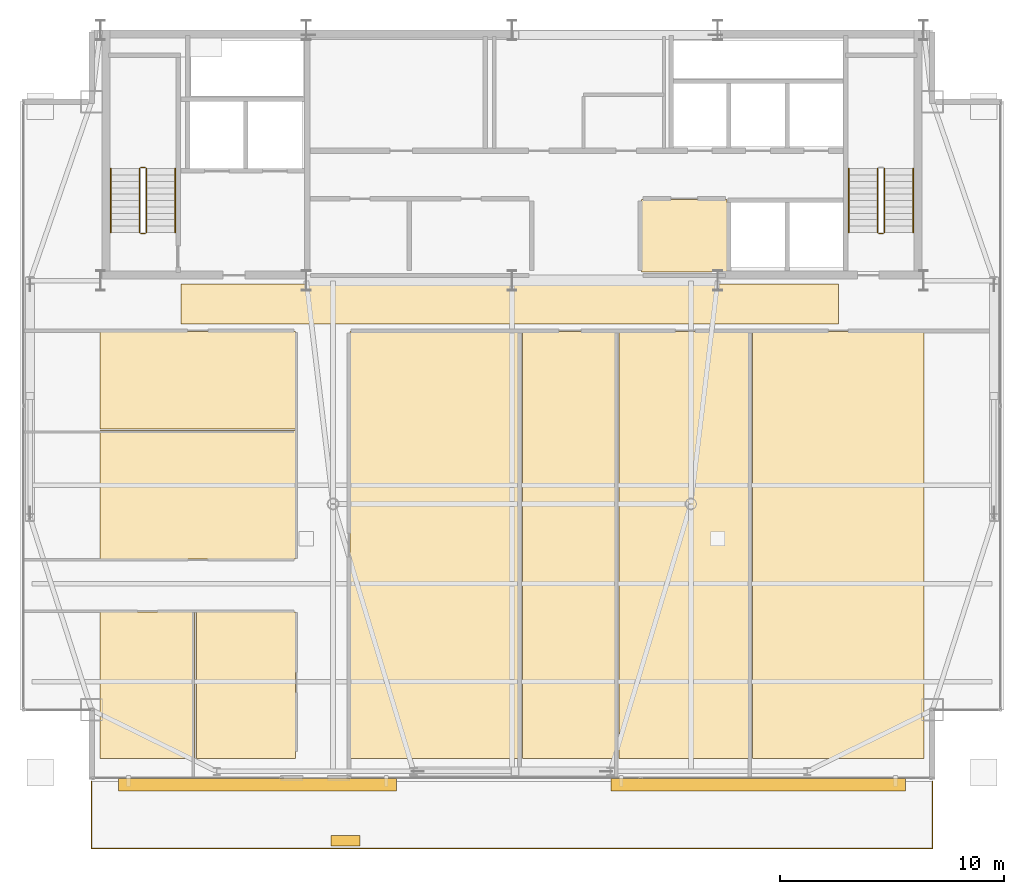
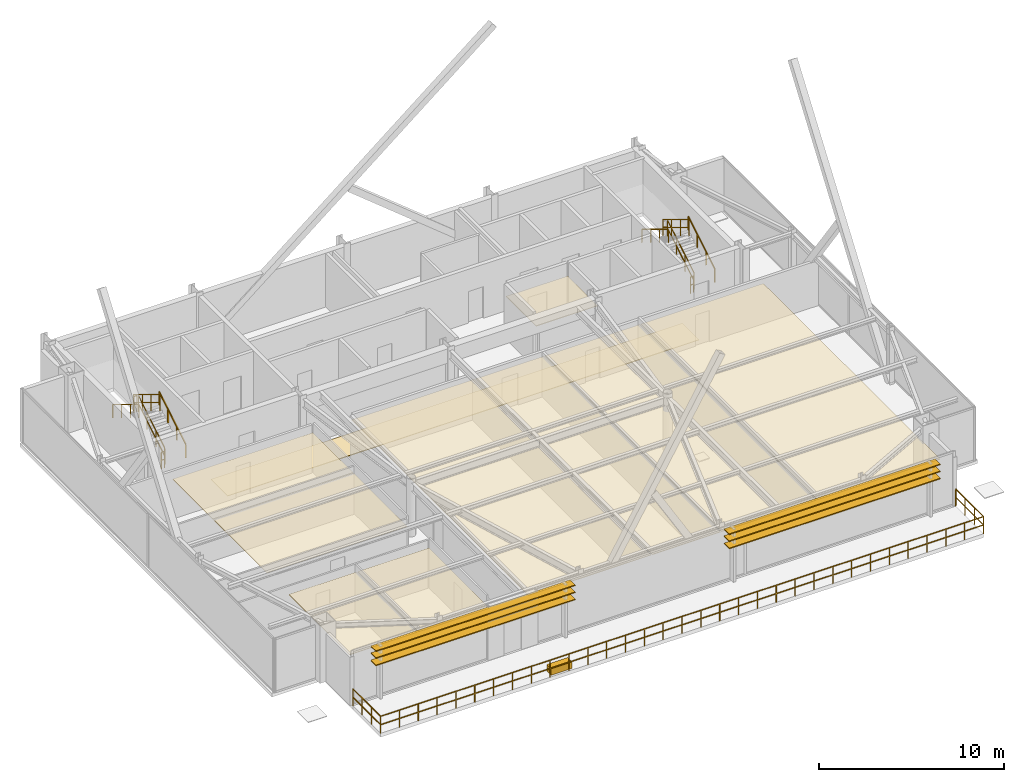
# One storey, part 24 of 25: 14 railings, 11 coverings, 6 shading devices.
"""IFC4 building model written with IfcOpenShell, lengths in metres."""

from ifc_helpers import new_model, si_unit, direction, frame, origin, origin_2d, place, context, subcontext, project, spatial, polyline, rectangle, outline, extrude, source, transform, mapped, material, layer, layer_set, type_object, type_shapes, element, save


model = new_model("IFC4")

# Units and contexts
model_context = context("Model", 3, precision=1e-05, world=origin(), true_north=direction((0.0, 1.0)))
body_context = subcontext(model_context, "Body", "Model", "MODEL_VIEW")
ifc_project = project(units=[si_unit("LENGTHUNIT", "METRE"), si_unit("AREAUNIT", "SQUARE_METRE"), si_unit("VOLUMEUNIT", "CUBIC_METRE"), si_unit("PLANEANGLEUNIT", "RADIAN"), si_unit("MASSUNIT", "GRAM", prefix="KILO")], contexts=[model_context])

# Site, building, storey
site_placement = place(None, origin())
site = spatial("IfcSite", under=ifc_project, at=site_placement, CompositionType="ELEMENT")
building_placement = place(site_placement, origin())
building = spatial("IfcBuilding", under=site, at=building_placement, Name="Varnel Quay Broadcast Tower", CompositionType="ELEMENT")
storey_placement = place(building_placement, frame((0.0, 0.0, 258.39990234375)))
storey = spatial("IfcBuildingStorey", under=building, at=storey_placement, Name="L64", CompositionType="ELEMENT", Elevation=258.39990234375)

# Coverings
ifc_material_1 = material(Name="Micro-Perforated Acoustic Ceiling Tile")
ifc_layer_1 = layer(ifc_material_1, 0.0400390625, Name="Micro-Perforated Acoustic Ceiling Tile")
ifc_layer_set_1 = layer_set([ifc_layer_1], Name="Micro-Perforated Acoustic Ceiling Tile")
covering_type_1 = type_object("IfcCoveringType", Name="Cov_AcousticCeiling", PredefinedType="CEILING", material=ifc_layer_set_1)
covering_1_placement = place(storey_placement, frame((0.0, 0.0, 2.580078125)))
element("IfcCovering", 1, at=covering_1_placement, inside=storey, type_object=covering_type_1, Name="L64 Electrical Sub-Distribution Closet Acoustic Ceiling", PredefinedType="CEILING", context=body_context, shape_type="SweptSolid", body=[
    extrude(outline(polyline([(39.784912109375, 35.985107421875), (43.614990234375, 35.985107421875), (43.614990234375, 39.215087890625), (39.784912109375, 39.215087890625), (39.784912109375, 35.985107421875)])), origin(), (0.0, 0.0, 1.0), 0.0400390625),
])
covering_2_placement = place(storey_placement, frame((0.0, 0.0, 2.580078125)))
element("IfcCovering", 2, at=covering_2_placement, inside=storey, type_object=covering_type_1, Name="L64 Media Tape Archive Store 1 Acoustic Ceiling", PredefinedType="CEILING", context=body_context, shape_type="SweptSolid", body=[
    extrude(outline(polyline([(15.5849609375, 14.22509765625), (19.81494140625, 14.22509765625), (19.81494140625, 20.77490234375), (15.5849609375, 20.77490234375), (15.5849609375, 14.22509765625)])), origin(), (0.0, 0.0, 1.0), 0.0400390625),
])
covering_3_placement = place(storey_placement, frame((0.0, 0.0, 2.580078125)))
element("IfcCovering", 3, at=covering_3_placement, inside=storey, type_object=covering_type_1, Name="L64 Lens & Rigging Store 2 Acoustic Ceiling", PredefinedType="CEILING", context=body_context, shape_type="SweptSolid", body=[
    extrude(outline(polyline([(19.885009765625, 14.22509765625), (24.324951171875, 14.22509765625), (24.324951171875, 20.77490234375), (19.885009765625, 20.77490234375), (19.885009765625, 14.22509765625)])), origin(), (0.0, 0.0, 1.0), 0.0400390625),
])
covering_4_placement = place(storey_placement, frame((0.0, 0.0, 2.580078125)))
element("IfcCovering", 4, at=covering_4_placement, inside=storey, type_object=covering_type_1, Name="L64 Ingest Vault Store 3 Acoustic Ceiling", PredefinedType="CEILING", context=body_context, shape_type="SweptSolid", body=[
    extrude(outline(polyline([(15.5849609375, 23.14501953125), (24.324951171875, 23.14501953125), (24.324951171875, 28.89501953125), (15.5849609375, 28.89501953125), (15.5849609375, 23.14501953125)])), origin(), (0.0, 0.0, 1.0), 0.0400390625),
])
covering_5_placement = place(storey_placement, frame((0.0, 0.0, 2.580078125)))
element("IfcCovering", 5, at=covering_5_placement, inside=storey, type_object=covering_type_1, Name="L64 Color Timing Suite 4 Acoustic Ceiling", PredefinedType="CEILING", context=body_context, shape_type="SweptSolid", body=[
    extrude(outline(polyline([(15.5849609375, 28.965087890625), (24.324951171875, 28.965087890625), (24.324951171875, 33.31494140625), (15.5849609375, 33.31494140625), (15.5849609375, 28.965087890625)])), origin(), (0.0, 0.0, 1.0), 0.0400390625),
])
covering_6_placement = place(storey_placement, frame((0.0, 0.0, 2.580078125)))
element("IfcCovering", 6, at=covering_6_placement, inside=storey, type_object=covering_type_1, Name="L64 Screening Meeting Room 5 Acoustic Ceiling", PredefinedType="CEILING", context=body_context, shape_type="SweptSolid", body=[
    extrude(outline(polyline([(26.7451171875, 14.22509765625), (34.39501953125, 14.22509765625), (34.39501953125, 33.31494140625), (26.7451171875, 33.31494140625), (26.7451171875, 14.22509765625)])), origin(), (0.0, 0.0, 1.0), 0.0400390625),
])
covering_7_placement = place(storey_placement, frame((0.0, 0.0, 2.580078125)))
element("IfcCovering", 7, at=covering_7_placement, inside=storey, type_object=covering_type_1, Name="L64 Producer Lounge 6 Acoustic Ceiling", PredefinedType="CEILING", context=body_context, shape_type="SweptSolid", body=[
    extrude(outline(polyline([(34.465087890625, 14.22509765625), (38.72509765625, 14.22509765625), (38.72509765625, 33.31494140625), (34.465087890625, 33.31494140625), (34.465087890625, 14.22509765625)])), origin(), (0.0, 0.0, 1.0), 0.0400390625),
])
covering_8_placement = place(storey_placement, frame((0.0, 0.0, 2.580078125)))
element("IfcCovering", 8, at=covering_8_placement, inside=storey, type_object=covering_type_1, Name="L64 Tea Kitchen 7 Acoustic Ceiling", PredefinedType="CEILING", context=body_context, shape_type="SweptSolid", body=[
    extrude(outline(polyline([(38.794921875, 14.22509765625), (44.695068359375, 14.22509765625), (44.695068359375, 33.31494140625), (38.794921875, 33.31494140625), (38.794921875, 14.22509765625)])), origin(), (0.0, 0.0, 1.0), 0.0400390625),
])
covering_9_placement = place(storey_placement, frame((0.0, 0.0, 2.580078125)))
element("IfcCovering", 9, at=covering_9_placement, inside=storey, type_object=covering_type_1, Name="L64 Media Tape Archive Store 8 Acoustic Ceiling", PredefinedType="CEILING", context=body_context, shape_type="SweptSolid", body=[
    extrude(outline(polyline([(44.764892578125, 14.22509765625), (52.4150390625, 14.22509765625), (52.4150390625, 33.31494140625), (44.764892578125, 33.31494140625), (44.764892578125, 14.22509765625)])), origin(), (0.0, 0.0, 1.0), 0.0400390625),
])
ifc_material_2 = material(Name="Polished Terrazzo & Broadcast Raised Flooring")
ifc_layer_2 = layer(ifc_material_2, 0.0400390625, Name="Polished Terrazzo & Broadcast Raised Flooring")
ifc_layer_set_2 = layer_set([ifc_layer_2], Name="Polished Terrazzo & Broadcast Raised Flooring")
covering_type_2 = type_object("IfcCoveringType", Name="Cov_TerrazzoFloor", PredefinedType="FLOORING", material=ifc_layer_set_2)
covering_10_placement = place(storey_placement, origin())
element("IfcCovering", 10, at=covering_10_placement, inside=storey, type_object=covering_type_2, Name="L64 Corridor Terrazzo Flooring", PredefinedType="FLOORING", context=body_context, shape_type="SweptSolid", body=[
    extrude(outline(polyline([(19.199951171875, 33.64990234375), (48.60009765625, 33.64990234375), (48.60009765625, 35.449951171875), (19.199951171875, 35.449951171875), (19.199951171875, 33.64990234375)])), origin(), (0.0, 0.0, 1.0), 0.0400390625),
])

# Railings
ifc_material_3 = material(Name="Anodised Bronze Aluminium 6063-T6", Category="aluminium")
railing_type_1 = type_object("IfcRailingType", Name="Rail_Balustrade1150", PredefinedType="BALUSTRADE", material=ifc_material_3)
railing_1_placement = place(storey_placement, frame((15.199951171875, 10.199951171875, 0.0)))
element("IfcRailing", 11, at=railing_1_placement, inside=storey, type_object=railing_type_1, Name="L64 Terrace 1 Guard 1", PredefinedType="BALUSTRADE", context=body_context, shape_type="SweptSolid", body=[
    extrude(rectangle(XDim=0.048095703125, YDim=0.048095703125, at=origin_2d()), frame((0.0, 0.0, 1.1259765625), z_axis=(1.0, 0.0, 0.0), x_axis=(0.0, 1.0, 0.0)), (0.0, 0.0, 1.0), 37.60009765625),
    extrude(rectangle(XDim=0.048095703125, YDim=0.048095703125, at=origin_2d()), frame((0.0, 0.0, 0.574951171875), z_axis=(1.0, 0.0, 0.0), x_axis=(0.0, 1.0, 0.0)), (0.0, 0.0, 1.0), 37.60009765625),
    extrude(rectangle(XDim=0.0419921875, YDim=0.0419921875, at=origin_2d()), origin(), (0.0, 0.0, 1.0), 1.101806640625),
    extrude(rectangle(XDim=0.0419921875, YDim=0.0419921875, at=origin_2d()), frame((1.175048828125, 0.0, 0.0)), (0.0, 0.0, 1.0), 1.101806640625),
    extrude(rectangle(XDim=0.0419921875, YDim=0.0419921875, at=origin_2d()), frame((2.35009765625, 0.0, 0.0)), (0.0, 0.0, 1.0), 1.101806640625),
    extrude(rectangle(XDim=0.0419921875, YDim=0.0419921875, at=origin_2d()), frame((3.52490234375, 0.0, 0.0)), (0.0, 0.0, 1.0), 1.101806640625),
    extrude(rectangle(XDim=0.0419921875, YDim=0.0419921875, at=origin_2d()), frame((4.699951171875, 0.0, 0.0)), (0.0, 0.0, 1.0), 1.101806640625),
    extrude(rectangle(XDim=0.0419921875, YDim=0.0419921875, at=origin_2d()), frame((5.875, 0.0, 0.0)), (0.0, 0.0, 1.0), 1.101806640625),
    extrude(rectangle(XDim=0.0419921875, YDim=0.0419921875, at=origin_2d()), frame((7.050048828125, 0.0, 0.0)), (0.0, 0.0, 1.0), 1.101806640625),
    extrude(rectangle(XDim=0.0419921875, YDim=0.0419921875, at=origin_2d()), frame((8.22509765625, 0.0, 0.0)), (0.0, 0.0, 1.0), 1.101806640625),
    extrude(rectangle(XDim=0.0419921875, YDim=0.0419921875, at=origin_2d()), frame((9.39990234375, 0.0, 0.0)), (0.0, 0.0, 1.0), 1.101806640625),
    extrude(rectangle(XDim=0.0419921875, YDim=0.0419921875, at=origin_2d()), frame((10.574951171875, 0.0, 0.0)), (0.0, 0.0, 1.0), 1.101806640625),
    extrude(rectangle(XDim=0.0419921875, YDim=0.0419921875, at=origin_2d()), frame((11.75, 0.0, 0.0)), (0.0, 0.0, 1.0), 1.101806640625),
    extrude(rectangle(XDim=0.0419921875, YDim=0.0419921875, at=origin_2d()), frame((12.925048828125, 0.0, 0.0)), (0.0, 0.0, 1.0), 1.101806640625),
    extrude(rectangle(XDim=0.0419921875, YDim=0.0419921875, at=origin_2d()), frame((14.10009765625, 0.0, 0.0)), (0.0, 0.0, 1.0), 1.101806640625),
    extrude(rectangle(XDim=0.0419921875, YDim=0.0419921875, at=origin_2d()), frame((15.275146484375, 0.0, 0.0)), (0.0, 0.0, 1.0), 1.101806640625),
    extrude(rectangle(XDim=0.0419921875, YDim=0.0419921875, at=origin_2d()), frame((16.449951171875, 0.0, 0.0)), (0.0, 0.0, 1.0), 1.101806640625),
    extrude(rectangle(XDim=0.0419921875, YDim=0.0419921875, at=origin_2d()), frame((17.625, 0.0, 0.0)), (0.0, 0.0, 1.0), 1.101806640625),
    extrude(rectangle(XDim=0.0419921875, YDim=0.0419921875, at=origin_2d()), frame((18.800048828125, 0.0, 0.0)), (0.0, 0.0, 1.0), 1.101806640625),
    extrude(rectangle(XDim=0.0419921875, YDim=0.0419921875, at=origin_2d()), frame((19.97509765625, 0.0, 0.0)), (0.0, 0.0, 1.0), 1.101806640625),
    extrude(rectangle(XDim=0.0419921875, YDim=0.0419921875, at=origin_2d()), frame((21.150146484375, 0.0, 0.0)), (0.0, 0.0, 1.0), 1.101806640625),
    extrude(rectangle(XDim=0.0419921875, YDim=0.0419921875, at=origin_2d()), frame((22.324951171875, 0.0, 0.0)), (0.0, 0.0, 1.0), 1.101806640625),
    extrude(rectangle(XDim=0.0419921875, YDim=0.0419921875, at=origin_2d()), frame((23.5, 0.0, 0.0)), (0.0, 0.0, 1.0), 1.101806640625),
    extrude(rectangle(XDim=0.0419921875, YDim=0.0419921875, at=origin_2d()), frame((24.675048828125, 0.0, 0.0)), (0.0, 0.0, 1.0), 1.101806640625),
    extrude(rectangle(XDim=0.0419921875, YDim=0.0419921875, at=origin_2d()), frame((25.85009765625, 0.0, 0.0)), (0.0, 0.0, 1.0), 1.101806640625),
    extrude(rectangle(XDim=0.0419921875, YDim=0.0419921875, at=origin_2d()), frame((27.025146484375, 0.0, 0.0)), (0.0, 0.0, 1.0), 1.101806640625),
    extrude(rectangle(XDim=0.0419921875, YDim=0.0419921875, at=origin_2d()), frame((28.2001953125, 0.0, 0.0)), (0.0, 0.0, 1.0), 1.101806640625),
    extrude(rectangle(XDim=0.0419921875, YDim=0.0419921875, at=origin_2d()), frame((29.375, 0.0, 0.0)), (0.0, 0.0, 1.0), 1.101806640625),
    extrude(rectangle(XDim=0.0419921875, YDim=0.0419921875, at=origin_2d()), frame((30.550048828125, 0.0, 0.0)), (0.0, 0.0, 1.0), 1.101806640625),
    extrude(rectangle(XDim=0.0419921875, YDim=0.0419921875, at=origin_2d()), frame((31.72509765625, 0.0, 0.0)), (0.0, 0.0, 1.0), 1.101806640625),
    extrude(rectangle(XDim=0.0419921875, YDim=0.0419921875, at=origin_2d()), frame((32.900146484375, 0.0, 0.0)), (0.0, 0.0, 1.0), 1.101806640625),
    extrude(rectangle(XDim=0.0419921875, YDim=0.0419921875, at=origin_2d()), frame((34.0751953125, 0.0, 0.0)), (0.0, 0.0, 1.0), 1.101806640625),
    extrude(rectangle(XDim=0.0419921875, YDim=0.0419921875, at=origin_2d()), frame((35.25, 0.0, 0.0)), (0.0, 0.0, 1.0), 1.101806640625),
    extrude(rectangle(XDim=0.0419921875, YDim=0.0419921875, at=origin_2d()), frame((36.425048828125, 0.0, 0.0)), (0.0, 0.0, 1.0), 1.101806640625),
    extrude(rectangle(XDim=0.0419921875, YDim=0.0419921875, at=origin_2d()), frame((37.60009765625, 0.0, 0.0)), (0.0, 0.0, 1.0), 1.101806640625),
])
railing_2_placement = place(storey_placement, frame((52.800048828125, 10.199951171875, 0.0)))
element("IfcRailing", 12, at=railing_2_placement, inside=storey, type_object=railing_type_1, Name="L64 Terrace 1 Guard 2", PredefinedType="BALUSTRADE", context=body_context, shape_type="SweptSolid", body=[
    extrude(rectangle(XDim=0.048095703125, YDim=0.048095703125, at=origin_2d()), frame((0.0, 0.0, 1.1259765625), z_axis=(0.0, 1.0, 0.0), x_axis=(-1.0, 0.0, 0.0)), (0.0, 0.0, 1.0), 3.0),
    extrude(rectangle(XDim=0.048095703125, YDim=0.048095703125, at=origin_2d()), frame((0.0, 0.0, 0.574951171875), z_axis=(0.0, 1.0, 0.0), x_axis=(-1.0, 0.0, 0.0)), (0.0, 0.0, 1.0), 3.0),
    extrude(rectangle(XDim=0.0419921875, YDim=0.0419921875, at=origin_2d()), origin(), (0.0, 0.0, 1.0), 1.101806640625),
    extrude(rectangle(XDim=0.0419921875, YDim=0.0419921875, at=origin_2d()), frame((0.0, 1.0, 0.0)), (0.0, 0.0, 1.0), 1.101806640625),
    extrude(rectangle(XDim=0.0419921875, YDim=0.0419921875, at=origin_2d()), frame((0.0, 2.0, 0.0)), (0.0, 0.0, 1.0), 1.101806640625),
    extrude(rectangle(XDim=0.0419921875, YDim=0.0419921875, at=origin_2d()), frame((0.0, 3.0, 0.0)), (0.0, 0.0, 1.0), 1.101806640625),
])
railing_3_placement = place(storey_placement, frame((15.199951171875, 13.199951171875, 0.0)))
element("IfcRailing", 13, at=railing_3_placement, inside=storey, type_object=railing_type_1, Name="L64 Terrace 1 Guard 4", PredefinedType="BALUSTRADE", context=body_context, shape_type="SweptSolid", body=[
    extrude(rectangle(XDim=0.048095703125, YDim=0.048095703125, at=origin_2d()), frame((0.0, 0.0, 1.1259765625), z_axis=(0.0, -1.0, 0.0), x_axis=(1.0, 0.0, 0.0)), (0.0, 0.0, 1.0), 3.0),
    extrude(rectangle(XDim=0.048095703125, YDim=0.048095703125, at=origin_2d()), frame((0.0, 0.0, 0.574951171875), z_axis=(0.0, -1.0, 0.0), x_axis=(1.0, 0.0, 0.0)), (0.0, 0.0, 1.0), 3.0),
    extrude(rectangle(XDim=0.0419921875, YDim=0.0419921875, at=origin_2d()), origin(), (0.0, 0.0, 1.0), 1.101806640625),
    extrude(rectangle(XDim=0.0419921875, YDim=0.0419921875, at=origin_2d()), frame((0.0, -1.0, 0.0)), (0.0, 0.0, 1.0), 1.101806640625),
    extrude(rectangle(XDim=0.0419921875, YDim=0.0419921875, at=origin_2d()), frame((0.0, -2.0, 0.0)), (0.0, 0.0, 1.0), 1.101806640625),
    extrude(rectangle(XDim=0.0419921875, YDim=0.0419921875, at=origin_2d()), frame((0.0, -3.0, 0.0)), (0.0, 0.0, 1.0), 1.101806640625),
])
ifc_material_4 = material(Name="Painted Steel Guard and Handrail CSA G40.21 350W", Category="steel")
railing_type_2 = type_object("IfcRailingType", Name="Rail_StairGuard1100", PredefinedType="GUARDRAIL", material=ifc_material_4)
railing_4_placement = place(storey_placement, frame((17.64990234375, 37.75, 0.1728515625)))
element("IfcRailing", 14, at=railing_4_placement, inside=storey, type_object=railing_type_2, Name="L64 ST-01 stair guard 1", PredefinedType="GUARDRAIL", context=body_context, shape_type="SweptSolid", body=[
    extrude(rectangle(XDim=0.048095703125, YDim=0.048095703125, at=origin_2d()), frame((0.0, 0.0, 1.076171875), z_axis=(0.0, 0.855202751398, 0.518293598264), x_axis=(-1.0, 0.0, 0.0)), (0.0, 0.0, 1.0), 3.332763671875),
    extrude(rectangle(XDim=0.048095703125, YDim=0.048095703125, at=origin_2d()), frame((0.0, 0.0, 0.550048828125), z_axis=(0.0, 0.855202751398, 0.518293598264), x_axis=(-1.0, 0.0, 0.0)), (0.0, 0.0, 1.0), 3.332763671875),
    extrude(rectangle(XDim=0.0419921875, YDim=0.0419921875, at=origin_2d()), origin(), (0.0, 0.0, 1.0), 1.052001953125),
    extrude(rectangle(XDim=0.0419921875, YDim=0.0419921875, at=origin_2d()), frame((0.0, 0.949951171875, 0.57568359375)), (0.0, 0.0, 1.0), 1.052001953125),
    extrude(rectangle(XDim=0.0419921875, YDim=0.0419921875, at=origin_2d()), frame((0.0, 1.900146484375, 1.151611328125)), (0.0, 0.0, 1.0), 1.052001953125),
    extrude(rectangle(XDim=0.0419921875, YDim=0.0419921875, at=origin_2d()), frame((0.0, 2.85009765625, 1.727294921875)), (0.0, 0.0, 1.0), 1.052001953125),
])
railing_5_placement = place(storey_placement, frame((17.60009765625, 40.64990234375, 1.900146484375)))
element("IfcRailing", 15, at=railing_5_placement, inside=storey, type_object=railing_type_2, Name="L64 ST-01 stair guard 2", PredefinedType="GUARDRAIL", context=body_context, shape_type="SweptSolid", body=[
    extrude(rectangle(XDim=0.048095703125, YDim=0.048095703125, at=origin_2d()), frame((0.0, 0.0, 1.076171875), z_axis=(-1.0, 0.0, 0.0), x_axis=(0.0, -1.0, 0.0)), (0.0, 0.0, 1.0), 0.2001953125),
    extrude(rectangle(XDim=0.048095703125, YDim=0.048095703125, at=origin_2d()), frame((0.0, 0.0, 0.550048828125), z_axis=(-1.0, 0.0, 0.0), x_axis=(0.0, -1.0, 0.0)), (0.0, 0.0, 1.0), 0.2001953125),
    extrude(rectangle(XDim=0.0419921875, YDim=0.0419921875, at=origin_2d()), origin(), (0.0, 0.0, 1.0), 1.052001953125),
    extrude(rectangle(XDim=0.0419921875, YDim=0.0419921875, at=origin_2d()), frame((-0.2001953125, 0.0, 0.0)), (0.0, 0.0, 1.0), 1.052001953125),
])
railing_6_placement = place(storey_placement, frame((17.35009765625, 40.60009765625, 2.07275390625)))
element("IfcRailing", 16, at=railing_6_placement, inside=storey, type_object=railing_type_2, Name="L64 ST-01 stair guard 3", PredefinedType="GUARDRAIL", context=body_context, shape_type="SweptSolid", body=[
    extrude(rectangle(XDim=0.048095703125, YDim=0.048095703125, at=origin_2d()), frame((0.0, 0.0, 1.076171875), z_axis=(0.0, -0.855202751398, 0.518293598264), x_axis=(1.0, 0.0, 0.0)), (0.0, 0.0, 1.0), 3.332763671875),
    extrude(rectangle(XDim=0.048095703125, YDim=0.048095703125, at=origin_2d()), frame((0.0, 0.0, 0.550048828125), z_axis=(0.0, -0.855202751398, 0.518293598264), x_axis=(1.0, 0.0, 0.0)), (0.0, 0.0, 1.0), 3.332763671875),
    extrude(rectangle(XDim=0.0419921875, YDim=0.0419921875, at=origin_2d()), origin(), (0.0, 0.0, 1.0), 1.052001953125),
    extrude(rectangle(XDim=0.0419921875, YDim=0.0419921875, at=origin_2d()), frame((0.0, -0.949951171875, 0.57568359375)), (0.0, 0.0, 1.0), 1.052001953125),
    extrude(rectangle(XDim=0.0419921875, YDim=0.0419921875, at=origin_2d()), frame((0.0, -1.900146484375, 1.151611328125)), (0.0, 0.0, 1.0), 1.052001953125),
    extrude(rectangle(XDim=0.0419921875, YDim=0.0419921875, at=origin_2d()), frame((0.0, -2.85009765625, 1.727294921875)), (0.0, 0.0, 1.0), 1.052001953125),
])
railing_7_placement = place(storey_placement, frame((17.60009765625, 37.699951171875, 0.0)))
element("IfcRailing", 17, at=railing_7_placement, inside=storey, type_object=railing_type_2, Name="L64 ST-01 stair guard 4", PredefinedType="GUARDRAIL", context=body_context, shape_type="SweptSolid", body=[
    extrude(rectangle(XDim=0.048095703125, YDim=0.048095703125, at=origin_2d()), frame((0.0, 0.0, 1.076171875), z_axis=(-1.0, 0.0, 0.0), x_axis=(0.0, -1.0, 0.0)), (0.0, 0.0, 1.0), 0.2001953125),
    extrude(rectangle(XDim=0.048095703125, YDim=0.048095703125, at=origin_2d()), frame((0.0, 0.0, 0.550048828125), z_axis=(-1.0, 0.0, 0.0), x_axis=(0.0, -1.0, 0.0)), (0.0, 0.0, 1.0), 0.2001953125),
    extrude(rectangle(XDim=0.0419921875, YDim=0.0419921875, at=origin_2d()), origin(), (0.0, 0.0, 1.0), 1.052001953125),
    extrude(rectangle(XDim=0.0419921875, YDim=0.0419921875, at=origin_2d()), frame((-0.2001953125, 0.0, 0.0)), (0.0, 0.0, 1.0), 1.052001953125),
])
railing_8_placement = place(storey_placement, frame((50.64990234375, 37.75, 0.1728515625)))
element("IfcRailing", 18, at=railing_8_placement, inside=storey, type_object=railing_type_2, Name="L64 ST-02 stair guard 1", PredefinedType="GUARDRAIL", context=body_context, shape_type="SweptSolid", body=[
    extrude(rectangle(XDim=0.048095703125, YDim=0.048095703125, at=origin_2d()), frame((0.0, 0.0, 1.076171875), z_axis=(0.0, 0.855202751398, 0.518293598264), x_axis=(-1.0, 0.0, 0.0)), (0.0, 0.0, 1.0), 3.332763671875),
    extrude(rectangle(XDim=0.048095703125, YDim=0.048095703125, at=origin_2d()), frame((0.0, 0.0, 0.550048828125), z_axis=(0.0, 0.855202751398, 0.518293598264), x_axis=(-1.0, 0.0, 0.0)), (0.0, 0.0, 1.0), 3.332763671875),
    extrude(rectangle(XDim=0.0419921875, YDim=0.0419921875, at=origin_2d()), origin(), (0.0, 0.0, 1.0), 1.052001953125),
    extrude(rectangle(XDim=0.0419921875, YDim=0.0419921875, at=origin_2d()), frame((0.0, 0.949951171875, 0.57568359375)), (0.0, 0.0, 1.0), 1.052001953125),
    extrude(rectangle(XDim=0.0419921875, YDim=0.0419921875, at=origin_2d()), frame((0.0, 1.900146484375, 1.151611328125)), (0.0, 0.0, 1.0), 1.052001953125),
    extrude(rectangle(XDim=0.0419921875, YDim=0.0419921875, at=origin_2d()), frame((0.0, 2.85009765625, 1.727294921875)), (0.0, 0.0, 1.0), 1.052001953125),
])
railing_9_placement = place(storey_placement, frame((50.35009765625, 40.60009765625, 2.07275390625)))
element("IfcRailing", 19, at=railing_9_placement, inside=storey, type_object=railing_type_2, Name="L64 ST-02 stair guard 3", PredefinedType="GUARDRAIL", context=body_context, shape_type="SweptSolid", body=[
    extrude(rectangle(XDim=0.048095703125, YDim=0.048095703125, at=origin_2d()), frame((0.0, 0.0, 1.076171875), z_axis=(0.0, -0.855202751398, 0.518293598264), x_axis=(1.0, 0.0, 0.0)), (0.0, 0.0, 1.0), 3.332763671875),
    extrude(rectangle(XDim=0.048095703125, YDim=0.048095703125, at=origin_2d()), frame((0.0, 0.0, 0.550048828125), z_axis=(0.0, -0.855202751398, 0.518293598264), x_axis=(1.0, 0.0, 0.0)), (0.0, 0.0, 1.0), 3.332763671875),
    extrude(rectangle(XDim=0.0419921875, YDim=0.0419921875, at=origin_2d()), origin(), (0.0, 0.0, 1.0), 1.052001953125),
    extrude(rectangle(XDim=0.0419921875, YDim=0.0419921875, at=origin_2d()), frame((0.0, -0.949951171875, 0.57568359375)), (0.0, 0.0, 1.0), 1.052001953125),
    extrude(rectangle(XDim=0.0419921875, YDim=0.0419921875, at=origin_2d()), frame((0.0, -1.900146484375, 1.151611328125)), (0.0, 0.0, 1.0), 1.052001953125),
    extrude(rectangle(XDim=0.0419921875, YDim=0.0419921875, at=origin_2d()), frame((0.0, -2.85009765625, 1.727294921875)), (0.0, 0.0, 1.0), 1.052001953125),
])
railing_10_placement = place(storey_placement, frame((50.60009765625, 37.699951171875, 0.0)))
element("IfcRailing", 20, at=railing_10_placement, inside=storey, type_object=railing_type_2, Name="L64 ST-02 stair guard 4", PredefinedType="GUARDRAIL", context=body_context, shape_type="SweptSolid", body=[
    extrude(rectangle(XDim=0.048095703125, YDim=0.048095703125, at=origin_2d()), frame((0.0, 0.0, 1.076171875), z_axis=(-1.0, 0.0, 0.0), x_axis=(0.0, -1.0, 0.0)), (0.0, 0.0, 1.0), 0.2001953125),
    extrude(rectangle(XDim=0.048095703125, YDim=0.048095703125, at=origin_2d()), frame((0.0, 0.0, 0.550048828125), z_axis=(-1.0, 0.0, 0.0), x_axis=(0.0, -1.0, 0.0)), (0.0, 0.0, 1.0), 0.2001953125),
    extrude(rectangle(XDim=0.0419921875, YDim=0.0419921875, at=origin_2d()), origin(), (0.0, 0.0, 1.0), 1.052001953125),
    extrude(rectangle(XDim=0.0419921875, YDim=0.0419921875, at=origin_2d()), frame((-0.2001953125, 0.0, 0.0)), (0.0, 0.0, 1.0), 1.052001953125),
])
railing_type_3 = type_object("IfcRailingType", Name="Rail_StairHandrail900", PredefinedType="HANDRAIL", material=ifc_material_4)
railing_11_placement = place(storey_placement, frame((18.949951171875, 37.75, 0.1728515625)))
element("IfcRailing", 21, at=railing_11_placement, inside=storey, type_object=railing_type_3, Name="L64 ST-01 stair handrail 1", PredefinedType="HANDRAIL", context=body_context, shape_type="SweptSolid", body=[
    extrude(rectangle(XDim=0.048095703125, YDim=0.048095703125, at=origin_2d()), frame((0.0, 0.0, 0.8759765625), z_axis=(0.0, 0.855202751398, 0.518293598264), x_axis=(-1.0, 0.0, 0.0)), (0.0, 0.0, 1.0), 3.332763671875),
    extrude(rectangle(XDim=0.0419921875, YDim=0.0419921875, at=origin_2d()), origin(), (0.0, 0.0, 1.0), 0.851806640625),
    extrude(rectangle(XDim=0.0419921875, YDim=0.0419921875, at=origin_2d()), frame((0.0, 0.949951171875, 0.57568359375)), (0.0, 0.0, 1.0), 0.851806640625),
    extrude(rectangle(XDim=0.0419921875, YDim=0.0419921875, at=origin_2d()), frame((0.0, 1.900146484375, 1.151611328125)), (0.0, 0.0, 1.0), 0.851806640625),
    extrude(rectangle(XDim=0.0419921875, YDim=0.0419921875, at=origin_2d()), frame((0.0, 2.85009765625, 1.727294921875)), (0.0, 0.0, 1.0), 0.851806640625),
])
railing_12_placement = place(storey_placement, frame((16.050048828125, 40.60009765625, 2.07275390625)))
element("IfcRailing", 22, at=railing_12_placement, inside=storey, type_object=railing_type_3, Name="L64 ST-01 stair handrail 2", PredefinedType="HANDRAIL", context=body_context, shape_type="SweptSolid", body=[
    extrude(rectangle(XDim=0.048095703125, YDim=0.048095703125, at=origin_2d()), frame((0.0, 0.0, 0.8759765625), z_axis=(0.0, -0.855202751398, 0.518293598264), x_axis=(1.0, 0.0, 0.0)), (0.0, 0.0, 1.0), 3.332763671875),
    extrude(rectangle(XDim=0.0419921875, YDim=0.0419921875, at=origin_2d()), origin(), (0.0, 0.0, 1.0), 0.851806640625),
    extrude(rectangle(XDim=0.0419921875, YDim=0.0419921875, at=origin_2d()), frame((0.0, -0.949951171875, 0.57568359375)), (0.0, 0.0, 1.0), 0.851806640625),
    extrude(rectangle(XDim=0.0419921875, YDim=0.0419921875, at=origin_2d()), frame((0.0, -1.900146484375, 1.151611328125)), (0.0, 0.0, 1.0), 0.851806640625),
    extrude(rectangle(XDim=0.0419921875, YDim=0.0419921875, at=origin_2d()), frame((0.0, -2.85009765625, 1.727294921875)), (0.0, 0.0, 1.0), 0.851806640625),
])
railing_13_placement = place(storey_placement, frame((51.949951171875, 37.75, 0.1728515625)))
element("IfcRailing", 23, at=railing_13_placement, inside=storey, type_object=railing_type_3, Name="L64 ST-02 stair handrail 1", PredefinedType="HANDRAIL", context=body_context, shape_type="SweptSolid", body=[
    extrude(rectangle(XDim=0.048095703125, YDim=0.048095703125, at=origin_2d()), frame((0.0, 0.0, 0.8759765625), z_axis=(0.0, 0.855202751398, 0.518293598264), x_axis=(-1.0, 0.0, 0.0)), (0.0, 0.0, 1.0), 3.332763671875),
    extrude(rectangle(XDim=0.0419921875, YDim=0.0419921875, at=origin_2d()), origin(), (0.0, 0.0, 1.0), 0.851806640625),
    extrude(rectangle(XDim=0.0419921875, YDim=0.0419921875, at=origin_2d()), frame((0.0, 0.949951171875, 0.57568359375)), (0.0, 0.0, 1.0), 0.851806640625),
    extrude(rectangle(XDim=0.0419921875, YDim=0.0419921875, at=origin_2d()), frame((0.0, 1.900146484375, 1.151611328125)), (0.0, 0.0, 1.0), 0.851806640625),
    extrude(rectangle(XDim=0.0419921875, YDim=0.0419921875, at=origin_2d()), frame((0.0, 2.85009765625, 1.727294921875)), (0.0, 0.0, 1.0), 0.851806640625),
])
railing_14_placement = place(storey_placement, frame((49.050048828125, 40.60009765625, 2.07275390625)))
element("IfcRailing", 24, at=railing_14_placement, inside=storey, type_object=railing_type_3, Name="L64 ST-02 stair handrail 2", PredefinedType="HANDRAIL", context=body_context, shape_type="SweptSolid", body=[
    extrude(rectangle(XDim=0.048095703125, YDim=0.048095703125, at=origin_2d()), frame((0.0, 0.0, 0.8759765625), z_axis=(0.0, -0.855202751398, 0.518293598264), x_axis=(1.0, 0.0, 0.0)), (0.0, 0.0, 1.0), 3.332763671875),
    extrude(rectangle(XDim=0.0419921875, YDim=0.0419921875, at=origin_2d()), origin(), (0.0, 0.0, 1.0), 0.851806640625),
    extrude(rectangle(XDim=0.0419921875, YDim=0.0419921875, at=origin_2d()), frame((0.0, -0.949951171875, 0.57568359375)), (0.0, 0.0, 1.0), 0.851806640625),
    extrude(rectangle(XDim=0.0419921875, YDim=0.0419921875, at=origin_2d()), frame((0.0, -1.900146484375, 1.151611328125)), (0.0, 0.0, 1.0), 0.851806640625),
    extrude(rectangle(XDim=0.0419921875, YDim=0.0419921875, at=origin_2d()), frame((0.0, -2.85009765625, 1.727294921875)), (0.0, 0.0, 1.0), 0.851806640625),
])

# Covering
ifc_material_5 = material(Name="Bronze-Terracotta Extruded Ceramic Blade", Category="masonry")
ifc_layer_3 = layer(ifc_material_5, 0.449951171875, Name="Bronze-Terracotta Extruded Ceramic Blade")
ifc_layer_set_3 = layer_set([ifc_layer_3], Name="Bronze-Terracotta Extruded Ceramic Blade")
covering_type_3 = type_object("IfcCoveringType", Name="Cov_BronzePlanter", PredefinedType="CLADDING", material=ifc_layer_set_3)
shared_shape_1 = source(origin(), body_context, "Body", "SweptSolid", [
    extrude(rectangle(XDim=1.300048828125, YDim=0.449951171875, at=origin_2d()), origin(), (0.0, 0.0, 1.0), 0.449951171875),
])
type_shapes(covering_type_3, [shared_shape_1])
covering_11_placement = place(storey_placement, frame((26.550048828125, 10.550048828125, 0.0), z_axis=(0.0, 0.0, 1.0), x_axis=(1.0, 0.0, 0.0)))
element("IfcCovering", 25, at=covering_11_placement, inside=storey, type_object=covering_type_3, Name="L64 Terrace 1 Bronze Planter", PredefinedType="CLADDING", context=body_context, shape_type="MappedRepresentation", body=[
    mapped(shared_shape_1, transform((0.0, 0.0, 0.0), x_axis=(1.0, 0.0, 0.0), y_axis=(0.0, 1.0, 0.0), z_axis=(0.0, 0.0, 1.0), scale=1.0)),
])

# Shading devices
ifc_layer_4 = layer(ifc_material_5, 0.06494140625, Name="Bronze-Terracotta Extruded Ceramic Blade")
ifc_layer_set_4 = layer_set([ifc_layer_4], Name="Bronze-Terracotta Extruded Ceramic Blade")
shading_device_type = type_object("IfcShadingDeviceType", Name="Shade_LouvreBlade550", PredefinedType="JALOUSIE", material=ifc_layer_set_4)
shared_shape_2 = source(origin(), body_context, "Body", "SweptSolid", [
    extrude(rectangle(XDim=12.43408203125, YDim=0.550048828125, at=origin_2d()), origin(), (0.0, 0.0, 1.0), 0.06494140625),
])
for number, where, z_axis, x_axis, name in (
    (26, (22.616943359375, 13.06005859375, 2.447509765625), (0.0, 0.0, 1.0), (1.0, 0.0, 0.0), "L64 Lobe 1 Horizontal Louvre Blade 1"),
    (27, (22.616943359375, 13.06005859375, 2.927734375), (0.0, 0.0, 1.0), (1.0, 0.0, 0.0), "L64 Lobe 1 Horizontal Louvre Blade 2"),
    (28, (22.616943359375, 13.06005859375, 3.3876953125), (0.0, 0.0, 1.0), (1.0, 0.0, 0.0), "L64 Lobe 1 Horizontal Louvre Blade 3"),
):
    element("IfcShadingDevice", number, at=place(storey_placement, frame(where, z_axis=z_axis, x_axis=x_axis)), inside=storey, type_object=shading_device_type, Name=name, PredefinedType="JALOUSIE", context=body_context, shape_type="MappedRepresentation", body=[
        mapped(shared_shape_2, transform((0.0, 0.0, 0.0), x_axis=(1.0, 0.0, 0.0), y_axis=(0.0, 1.0, 0.0), z_axis=(0.0, 0.0, 1.0), scale=1.0)),
    ])
shared_shape_3 = source(origin(), body_context, "Body", "SweptSolid", [
    extrude(rectangle(XDim=13.166015625, YDim=0.550048828125, at=origin_2d()), origin(), (0.0, 0.0, 1.0), 0.06494140625),
])
type_shapes(shading_device_type, [shared_shape_2, shared_shape_3])
for number, where, z_axis, x_axis, name in (
    (29, (45.01708984375, 13.06005859375, 2.447509765625), (0.0, 0.0, 1.0), (1.0, 0.0, 0.0), "L64 Lobe 2 Horizontal Louvre Blade 1"),
    (30, (45.01708984375, 13.06005859375, 2.927734375), (0.0, 0.0, 1.0), (1.0, 0.0, 0.0), "L64 Lobe 2 Horizontal Louvre Blade 2"),
    (31, (45.01708984375, 13.06005859375, 3.3876953125), (0.0, 0.0, 1.0), (1.0, 0.0, 0.0), "L64 Lobe 2 Horizontal Louvre Blade 3"),
):
    element("IfcShadingDevice", number, at=place(storey_placement, frame(where, z_axis=z_axis, x_axis=x_axis)), inside=storey, type_object=shading_device_type, Name=name, PredefinedType="JALOUSIE", context=body_context, shape_type="MappedRepresentation", body=[
        mapped(shared_shape_3, transform((0.0, 0.0, 0.0), x_axis=(1.0, 0.0, 0.0), y_axis=(0.0, 1.0, 0.0), z_axis=(0.0, 0.0, 1.0), scale=1.0)),
    ])

save(model, "model.ifc")
